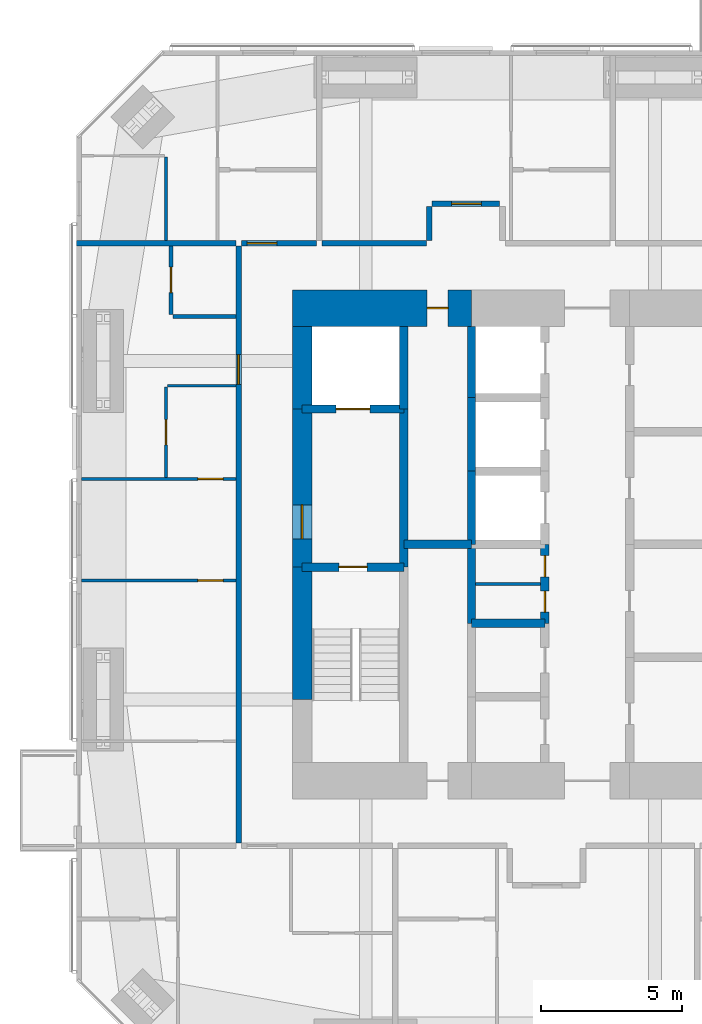
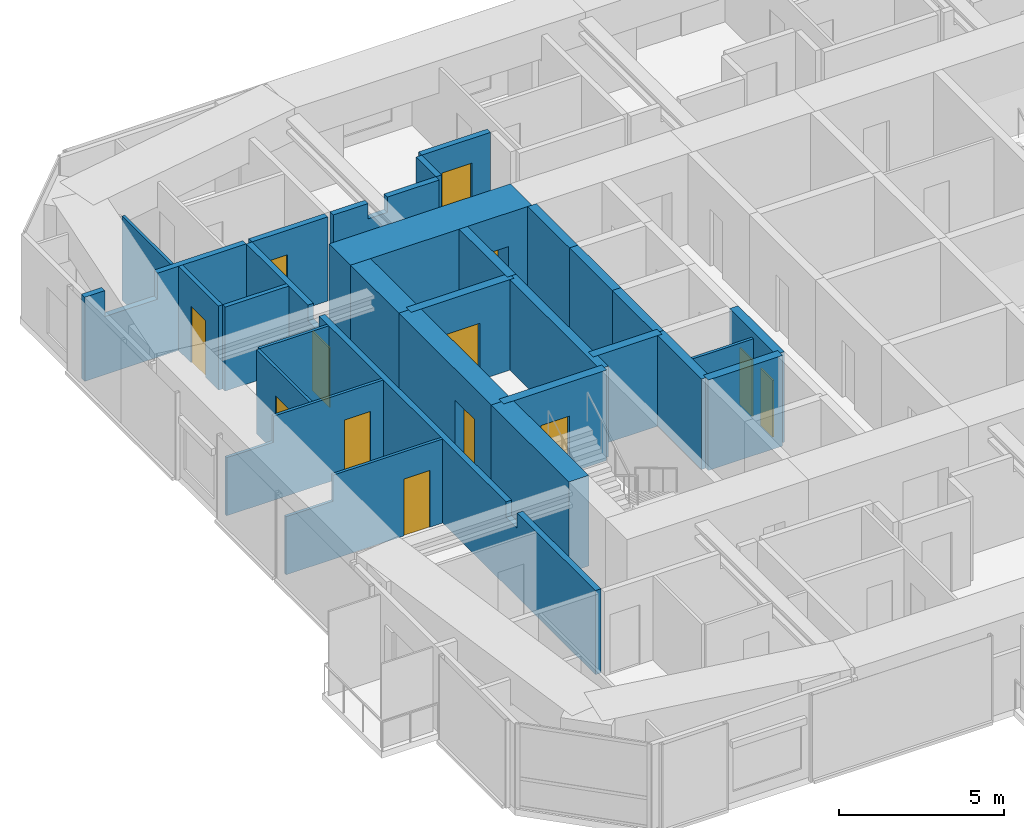
# One storey, part 18 of 23: 29 walls, 13 doors, 13 openings.
"""IFC4 building model written with IfcOpenShell, lengths in metres."""

from ifc_helpers import new_model, si_unit, direction, frame, frame_2d, origin, place, context, subcontext, project, spatial, polyline, rectangle, outline, extrude, material, layer, layer_set, constituent, constituent_set, type_object, element, fill, save


model = new_model("IFC4")

# Units and contexts
model_context = context("Model", 3, precision=1e-05, world=origin(), true_north=direction((0.0, 1.0)))
body_context = subcontext(model_context, "Body", "Model", "MODEL_VIEW")
ifc_project = project(units=[si_unit("LENGTHUNIT", "METRE"), si_unit("AREAUNIT", "SQUARE_METRE"), si_unit("VOLUMEUNIT", "CUBIC_METRE"), si_unit("PLANEANGLEUNIT", "RADIAN"), si_unit("MASSUNIT", "GRAM", prefix="KILO")], contexts=[model_context])

# Site, building, storey
site_placement = place(None, origin())
site = spatial("IfcSite", under=ifc_project, at=site_placement, CompositionType="ELEMENT")
building_placement = place(site_placement, origin())
building = spatial("IfcBuilding", under=site, at=building_placement, Name="Jalousie Tower", CompositionType="ELEMENT")
storey_placement = place(building_placement, frame((0.0, 0.0, 187.85009765625)))
storey = spatial("IfcBuildingStorey", under=building, at=storey_placement, Name="L51", CompositionType="ELEMENT", Elevation=187.85009765625)

# Wall, opening, door
ifc_material_1 = material(Name="Concrete block ASTM C90", Category="concrete")
ifc_constituent_1 = constituent(ifc_material_1, Name="Body")
ifc_material_2 = material(Name="Render")
ifc_constituent_2 = constituent(ifc_material_2, Name="Finish")
ifc_constituent_set_1 = constituent_set(constituents=[ifc_constituent_1, ifc_constituent_2])
wall_type_1 = type_object("IfcWallType", Name="BATHROOM WALL 150", PredefinedType="PLUMBINGWALL", material=ifc_constituent_set_1)
wall_1_placement = place(storey_placement, frame((15.35009765625, 26.64990234375, 0.0), z_axis=(0.0, 0.0, 1.0), x_axis=(0.0, 1.0, 0.0)))
wall_1 = element("IfcWall", 1, at=wall_1_placement, inside=storey, type_object=wall_type_1, Name="Bathroom Wall 150 L51", PredefinedType="PLUMBINGWALL", context=body_context, shape_type="SweptSolid", body=[
    extrude(rectangle(XDim=2.425048828125, YDim=0.14990234375, at=frame_2d((1.21240234375, 0.0))), origin(), (0.0, 0.0, 1.0), 3.10986328125),
])
opening_1_placement = place(wall_1_placement, frame((0.77490234375, 0.0, 0.0)))
opening_1 = element("IfcOpeningElement", 2, at=opening_1_placement, cuts=wall_1, Name="Opening D3", PredefinedType="OPENING", context=body_context, shape_type="SweptSolid", body=[
    extrude(rectangle(XDim=0.89990234375, YDim=2.10009765625, at=frame_2d((0.449951171875, 1.050048828125))), frame((0.0, 0.0849609375, 0.0), z_axis=(0.0, -1.0, 0.0), x_axis=(1.0, 0.0, 0.0)), (0.0, 0.0, 1.0), 0.169921875),
])
ifc_material_3 = material(Name="Timber door", Category="wood")
door_type_1 = type_object("IfcDoorType", Name="BATHROOM DOOR 900", OperationType="SINGLE_SWING_LEFT", PredefinedType="DOOR", material=ifc_material_3)
door_1_placement = place(opening_1_placement, frame((0.89990234375, 0.0, 0.0), z_axis=(0.0, 0.0, 1.0), x_axis=(-1.0, 0.0, 0.0)))
door_1 = element("IfcDoor", 3, at=door_1_placement, inside=storey, type_object=door_type_1, Name="Apartment 5108 bathroom door", OperationType="SINGLE_SWING_LEFT", OverallHeight=2.10009765625, OverallWidth=0.89990234375, PredefinedType="DOOR", context=body_context, shape_type="SweptSolid", body=[
    extrude(rectangle(XDim=0.89990234375, YDim=2.10009765625, at=frame_2d((0.449951171875, 1.050048828125))), frame((0.0, 0.02490234375, 0.0), z_axis=(0.0, -1.0, 0.0), x_axis=(1.0, 0.0, 0.0)), (0.0, 0.0, 1.0), 0.050048828125),
])
fill(opening_1, door_1)

# Wall
wall_2_placement = place(storey_placement, frame((15.425048828125, 26.574951171875, 0.0), z_axis=(0.0, 0.0, 1.0), x_axis=(1.0, 0.0, 0.0)))
element("IfcWall", 4, at=wall_2_placement, inside=storey, type_object=wall_type_1, Name="Bathroom Wall 150 L51", PredefinedType="PLUMBINGWALL", context=body_context, shape_type="SweptSolid", body=[
    extrude(rectangle(XDim=2.224853515625, YDim=0.14990234375, at=frame_2d((1.1123046875, 0.0))), origin(), (0.0, 0.0, 1.0), 3.10986328125),
])

# Wall, opening, door
ifc_material_4 = material(Name="Concrete f'c 120 MPa", Category="concrete")
ifc_layer_1 = layer(ifc_material_4, 1.300048828125)
ifc_layer_set_1 = layer_set([ifc_layer_1], Name="Concrete f'c 120 MPa")
wall_type_2 = type_object("IfcWallType", Name="CORE WALL 1300", PredefinedType="SHEAR", material=ifc_layer_set_1)
wall_3_placement = place(storey_placement, frame((26.0, 26.875, 0.0), z_axis=(0.0, 0.0, 1.0), x_axis=(-1.0, 0.0, 0.0)))
wall_3 = element("IfcWall", 5, at=wall_3_placement, inside=storey, type_object=wall_type_2, Name="Core wall ND L51", PredefinedType="SHEAR", context=body_context, shape_type="SweptSolid", body=[
    extrude(rectangle(XDim=6.35009765625, YDim=1.300048828125, at=frame_2d((3.175048828125, 0.0))), origin(), (0.0, 0.0, 1.0), 3.349853515625),
])
opening_2_placement = place(wall_3_placement, frame((0.824951171875, 0.0, 0.0)))
opening_2 = element("IfcOpeningElement", 6, at=opening_2_placement, cuts=wall_3, Name="Opening D16", PredefinedType="OPENING", context=body_context, shape_type="SweptSolid", body=[
    extrude(rectangle(XDim=0.75, YDim=2.10009765625, at=frame_2d((0.375, 1.050048828125))), frame((0.0, 0.659912109375, 0.0), z_axis=(0.0, -1.0, 0.0), x_axis=(1.0, 0.0, 0.0)), (0.0, 0.0, 1.0), 1.320068359375),
])
ifc_material_5 = material(Name="Steel fire door", Category="steel")
door_type_2 = type_object("IfcDoorType", Name="RISER DOOR 750", OperationType="SINGLE_SWING_LEFT", PredefinedType="DOOR", material=ifc_material_5)
door_2_placement = place(opening_2_placement, origin())
door_2 = element("IfcDoor", 7, at=door_2_placement, inside=storey, type_object=door_type_2, Name="North riser door", OperationType="SINGLE_SWING_RIGHT", OverallHeight=2.10009765625, OverallWidth=0.75, PredefinedType="DOOR", context=body_context, shape_type="SweptSolid", body=[
    extrude(rectangle(XDim=0.75, YDim=2.10009765625, at=frame_2d((0.375, 1.050048828125))), frame((0.0, 0.02490234375, 0.0), z_axis=(0.0, -1.0, 0.0), x_axis=(1.0, 0.0, 0.0)), (0.0, 0.0, 1.0), 0.050048828125),
])
fill(opening_2, door_2)

# Walls
ifc_material_6 = material(Name="Concrete f'c 120 MPa", Category="concrete")
ifc_layer_2 = layer(ifc_material_6, 0.300048828125)
ifc_layer_set_2 = layer_set([ifc_layer_2], Name="Concrete f'c 120 MPa")
wall_type_3 = type_object("IfcWallType", Name="CORE WALL 300", PredefinedType="SHEAR", material=ifc_layer_set_2)
wall_4_placement = place(storey_placement, frame((23.60009765625, 17.699951171875, 0.0), z_axis=(0.0, 0.0, 1.0), x_axis=(0.0, 1.0, 0.0)))
element("IfcWall", 8, at=wall_4_placement, inside=storey, type_object=wall_type_3, Name="Core wall X23.6B L51", PredefinedType="SHEAR", context=body_context, shape_type="SweptSolid", body=[
    extrude(rectangle(XDim=5.60009765625, YDim=0.300048828125, at=frame_2d((2.800048828125, 0.0))), origin(), (0.0, 0.0, 1.0), 3.349853515625),
])
wall_5_placement = place(storey_placement, frame((23.60009765625, 23.300048828125, 0.0), z_axis=(0.0, 0.0, 1.0), x_axis=(0.0, 1.0, 0.0)))
element("IfcWall", 9, at=wall_5_placement, inside=storey, type_object=wall_type_3, Name="Core wall X23.6C L51", PredefinedType="SHEAR", context=body_context, shape_type="SweptSolid", body=[
    extrude(rectangle(XDim=2.925048828125, YDim=0.300048828125, at=frame_2d((1.46240234375, 0.0))), origin(), (0.0, 0.0, 1.0), 3.349853515625),
])
wall_6_placement = place(storey_placement, frame((26.0, 15.699951171875, 0.0), z_axis=(0.0, 0.0, 1.0), x_axis=(0.0, 1.0, 0.0)))
element("IfcWall", 10, at=wall_6_placement, inside=storey, type_object=wall_type_3, Name="Core wall X26C L51", PredefinedType="SHEAR", context=body_context, shape_type="SweptSolid", body=[
    extrude(rectangle(XDim=2.800048828125, YDim=0.300048828125, at=frame_2d((1.39990234375, 0.0))), origin(), (0.0, 0.0, 1.0), 3.349853515625),
])
wall_7_placement = place(storey_placement, frame((26.0, 18.5, 0.0), z_axis=(0.0, 0.0, 1.0), x_axis=(0.0, 1.0, 0.0)))
element("IfcWall", 11, at=wall_7_placement, inside=storey, type_object=wall_type_3, Name="Core wall X26D L51", PredefinedType="SHEAR", context=body_context, shape_type="SweptSolid", body=[
    extrude(rectangle(XDim=2.60009765625, YDim=0.300048828125, at=frame_2d((1.300048828125, 0.0))), origin(), (0.0, 0.0, 1.0), 3.349853515625),
])
wall_8_placement = place(storey_placement, frame((26.0, 21.10009765625, 0.0), z_axis=(0.0, 0.0, 1.0), x_axis=(0.0, 1.0, 0.0)))
element("IfcWall", 12, at=wall_8_placement, inside=storey, type_object=wall_type_3, Name="Core wall X26E L51", PredefinedType="SHEAR", context=body_context, shape_type="SweptSolid", body=[
    extrude(rectangle(XDim=2.599853515625, YDim=0.300048828125, at=frame_2d((1.2998046875, 0.0))), origin(), (0.0, 0.0, 1.0), 3.349853515625),
])
wall_9_placement = place(storey_placement, frame((26.0, 23.699951171875, 0.0), z_axis=(0.0, 0.0, 1.0), x_axis=(0.0, 1.0, 0.0)))
element("IfcWall", 13, at=wall_9_placement, inside=storey, type_object=wall_type_3, Name="Core wall X26F L51", PredefinedType="SHEAR", context=body_context, shape_type="SweptSolid", body=[
    extrude(rectangle(XDim=2.525146484375, YDim=0.300048828125, at=frame_2d((1.2626953125, 0.0))), origin(), (0.0, 0.0, 1.0), 3.349853515625),
])

# Wall, openings, doors
wall_10_placement = place(storey_placement, frame((28.60009765625, 15.699951171875, 0.0), z_axis=(0.0, 0.0, 1.0), x_axis=(0.0, 1.0, 0.0)))
wall_10 = element("IfcWall", 14, at=wall_10_placement, inside=storey, type_object=wall_type_3, Name="Core wall X28.6C L51", PredefinedType="SHEAR", context=body_context, shape_type="SweptSolid", body=[
    extrude(rectangle(XDim=2.800048828125, YDim=0.300048828125, at=frame_2d((1.39990234375, 0.0))), origin(), (0.0, 0.0, 1.0), 3.349853515625),
])
opening_3_placement = place(wall_10_placement, frame((0.39990234375, 0.0, 0.0)))
opening_3 = element("IfcOpeningElement", 15, at=opening_3_placement, cuts=wall_10, Name="Opening D27", PredefinedType="OPENING", context=body_context, shape_type="SweptSolid", body=[
    extrude(rectangle(XDim=0.75, YDim=2.10009765625, at=frame_2d((0.375, 1.050048828125))), frame((0.0, 0.159912109375, 0.0), z_axis=(0.0, -1.0, 0.0), x_axis=(1.0, 0.0, 0.0)), (0.0, 0.0, 1.0), 0.320068359375),
])
opening_4_placement = place(wall_10_placement, frame((1.64990234375, 0.0, 0.0)))
opening_4 = element("IfcOpeningElement", 16, at=opening_4_placement, cuts=wall_10, Name="Opening D27", PredefinedType="OPENING", context=body_context, shape_type="SweptSolid", body=[
    extrude(rectangle(XDim=0.75, YDim=2.10009765625, at=frame_2d((0.375, 1.050048828125))), frame((0.0, 0.159912109375, 0.0), z_axis=(0.0, -1.0, 0.0), x_axis=(1.0, 0.0, 0.0)), (0.0, 0.0, 1.0), 0.320068359375),
])
ifc_material_7 = material(Name="Steel fire door", Category="steel")
door_type_3 = type_object("IfcDoorType", Name="CORE ROOM DOOR 750", OperationType="SINGLE_SWING_LEFT", PredefinedType="DOOR", material=ifc_material_7)
door_3_placement = place(opening_3_placement, origin())
door_3 = element("IfcDoor", 17, at=door_3_placement, inside=storey, type_object=door_type_3, Name="Staff WC door", OperationType="SINGLE_SWING_RIGHT", OverallHeight=2.10009765625, OverallWidth=0.75, PredefinedType="DOOR", context=body_context, shape_type="SweptSolid", body=[
    extrude(rectangle(XDim=0.75, YDim=2.10009765625, at=frame_2d((0.375, 1.050048828125))), frame((0.0, 0.02490234375, 0.0), z_axis=(0.0, -1.0, 0.0), x_axis=(1.0, 0.0, 0.0)), (0.0, 0.0, 1.0), 0.050048828125),
])
fill(opening_3, door_3)
door_4_placement = place(opening_4_placement, origin())
door_4 = element("IfcDoor", 18, at=door_4_placement, inside=storey, type_object=door_type_3, Name="Cleaner's store door", OperationType="SINGLE_SWING_LEFT", OverallHeight=2.10009765625, OverallWidth=0.75, PredefinedType="DOOR", context=body_context, shape_type="SweptSolid", body=[
    extrude(rectangle(XDim=0.75, YDim=2.10009765625, at=frame_2d((0.375, 1.050048828125))), frame((0.0, 0.02490234375, 0.0), z_axis=(0.0, -1.0, 0.0), x_axis=(1.0, 0.0, 0.0)), (0.0, 0.0, 1.0), 0.050048828125),
])
fill(opening_4, door_4)

# Wall, opening, door
wall_11_placement = place(storey_placement, frame((20.0, 17.699951171875, 0.0), z_axis=(0.0, 0.0, 1.0), x_axis=(1.0, 0.0, 0.0)))
wall_11 = element("IfcWall", 19, at=wall_11_placement, inside=storey, type_object=wall_type_3, Name="Core wall Y20-17.7 L51", PredefinedType="SHEAR", context=body_context, shape_type="SweptSolid", body=[
    extrude(rectangle(XDim=3.60009765625, YDim=0.300048828125, at=frame_2d((1.800048828125, 0.0))), origin(), (0.0, 0.0, 1.0), 3.349853515625),
])
opening_5_placement = place(wall_11_placement, frame((1.300048828125, 0.0, 0.0)))
opening_5 = element("IfcOpeningElement", 20, at=opening_5_placement, cuts=wall_11, Name="Opening D10", PredefinedType="OPENING", context=body_context, shape_type="SweptSolid", body=[
    extrude(rectangle(XDim=1.0, YDim=2.10009765625, at=frame_2d((0.5, 1.050048828125))), frame((0.0, 0.159912109375, 0.0), z_axis=(0.0, -1.0, 0.0), x_axis=(1.0, 0.0, 0.0)), (0.0, 0.0, 1.0), 0.320068359375),
])
ifc_material_8 = material(Name="Steel fire door", Category="steel")
door_type_4 = type_object("IfcDoorType", Name="STAIR DOOR 1000", OperationType="SINGLE_SWING_LEFT", PredefinedType="DOOR", material=ifc_material_8)
door_5_placement = place(opening_5_placement, frame((1.0, 0.0, 0.0), z_axis=(0.0, 0.0, 1.0), x_axis=(-1.0, 0.0, 0.0)))
door_5 = element("IfcDoor", 21, at=door_5_placement, inside=storey, type_object=door_type_4, Name="Exit stair A door", OperationType="SINGLE_SWING_RIGHT", OverallHeight=2.10009765625, OverallWidth=1.0, PredefinedType="DOOR", context=body_context, shape_type="SweptSolid", body=[
    extrude(rectangle(XDim=1.0, YDim=2.10009765625, at=frame_2d((0.5, 1.050048828125))), frame((0.0, 0.02490234375, 0.0), z_axis=(0.0, -1.0, 0.0), x_axis=(1.0, 0.0, 0.0)), (0.0, 0.0, 1.0), 0.050048828125),
])
fill(opening_5, door_5)

wall_12_placement = place(storey_placement, frame((20.0, 23.300048828125, 0.0), z_axis=(0.0, 0.0, 1.0), x_axis=(1.0, 0.0, 0.0)))
wall_12 = element("IfcWall", 22, at=wall_12_placement, inside=storey, type_object=wall_type_3, Name="Core wall Y20-23.3 L51", PredefinedType="SHEAR", context=body_context, shape_type="SweptSolid", body=[
    extrude(rectangle(XDim=3.60009765625, YDim=0.300048828125, at=frame_2d((1.800048828125, 0.0))), origin(), (0.0, 0.0, 1.0), 3.349853515625),
])
opening_6_placement = place(wall_12_placement, frame((1.199951171875, 0.0, 0.0)))
opening_6 = element("IfcOpeningElement", 23, at=opening_6_placement, cuts=wall_12, Name="Opening LD2", PredefinedType="OPENING", context=body_context, shape_type="SweptSolid", body=[
    extrude(rectangle(XDim=1.199951171875, YDim=2.10009765625, at=frame_2d((0.60009765625, 1.050048828125))), frame((0.0, 0.159912109375, 0.0), z_axis=(0.0, -1.0, 0.0), x_axis=(1.0, 0.0, 0.0)), (0.0, 0.0, 1.0), 0.320068359375),
])
ifc_material_9 = material(Name="Steel lift landing door", Category="steel")
door_type_5 = type_object("IfcDoorType", Name="LIFT LANDING DOOR 1200", OperationType="SLIDING_TO_LEFT", PredefinedType="DOOR", material=ifc_material_9)
door_6_placement = place(opening_6_placement, origin())
door_6 = element("IfcDoor", 24, at=door_6_placement, inside=storey, type_object=door_type_5, Name="Lift F1 landing door", OperationType="SLIDING_TO_LEFT", OverallHeight=2.10009765625, OverallWidth=1.199951171875, PredefinedType="DOOR", context=body_context, shape_type="SweptSolid", body=[
    extrude(rectangle(XDim=1.199951171875, YDim=2.10009765625, at=frame_2d((0.60009765625, 1.050048828125))), frame((0.0, 0.02490234375, 0.0), z_axis=(0.0, -1.0, 0.0), x_axis=(1.0, 0.0, 0.0)), (0.0, 0.0, 1.0), 0.050048828125),
])
fill(opening_6, door_6)

# Walls
wall_13_placement = place(storey_placement, frame((23.60009765625, 18.5, 0.0), z_axis=(0.0, 0.0, 1.0), x_axis=(1.0, 0.0, 0.0)))
element("IfcWall", 25, at=wall_13_placement, inside=storey, type_object=wall_type_3, Name="Core wall Y23.6-18.5 L51", PredefinedType="SHEAR", context=body_context, shape_type="SweptSolid", body=[
    extrude(rectangle(XDim=2.39990234375, YDim=0.300048828125, at=frame_2d((1.199951171875, 0.0))), origin(), (0.0, 0.0, 1.0), 3.349853515625),
])
wall_14_placement = place(storey_placement, frame((26.0, 15.699951171875, 0.0), z_axis=(0.0, 0.0, 1.0), x_axis=(1.0, 0.0, 0.0)))
element("IfcWall", 26, at=wall_14_placement, inside=storey, type_object=wall_type_3, Name="Core wall Y26-15.7 L51", PredefinedType="SHEAR", context=body_context, shape_type="SweptSolid", body=[
    extrude(rectangle(XDim=2.60009765625, YDim=0.300048828125, at=frame_2d((1.300048828125, 0.0))), origin(), (0.0, 0.0, 1.0), 3.349853515625),
])
ifc_material_10 = material(Name="Concrete f'c 120 MPa", Category="concrete")
ifc_layer_3 = layer(ifc_material_10, 0.699951171875)
ifc_layer_set_3 = layer_set([ifc_layer_3], Name="Concrete f'c 120 MPa")
wall_type_4 = type_object("IfcWallType", Name="CORE WALL 700", PredefinedType="SHEAR", material=ifc_layer_set_3)
wall_15_placement = place(storey_placement, frame((20.0, 26.22509765625, 0.0), z_axis=(0.0, 0.0, 1.0), x_axis=(0.0, -1.0, 0.0)))
element("IfcWall", 27, at=wall_15_placement, inside=storey, type_object=wall_type_4, Name="Core wall WA L51", PredefinedType="SHEAR", context=body_context, shape_type="SweptSolid", body=[
    extrude(rectangle(XDim=2.925048828125, YDim=0.699951171875, at=frame_2d((1.46240234375, 0.0))), origin(), (0.0, 0.0, 1.0), 3.349853515625),
])

# Wall, opening, door
wall_16_placement = place(storey_placement, frame((20.0, 23.300048828125, 0.0), z_axis=(0.0, 0.0, 1.0), x_axis=(0.0, -1.0, 0.0)))
wall_16 = element("IfcWall", 28, at=wall_16_placement, inside=storey, type_object=wall_type_4, Name="Core wall WB L51", PredefinedType="SHEAR", context=body_context, shape_type="SweptSolid", body=[
    extrude(rectangle(XDim=5.60009765625, YDim=0.699951171875, at=frame_2d((2.800048828125, 0.0))), origin(), (0.0, 0.0, 1.0), 3.349853515625),
])
opening_7_placement = place(wall_16_placement, frame((3.39990234375, 0.0, 0.0)))
opening_7 = element("IfcOpeningElement", 29, at=opening_7_placement, cuts=wall_16, Name="Opening D11", PredefinedType="OPENING", context=body_context, shape_type="SweptSolid", body=[
    extrude(rectangle(XDim=1.199951171875, YDim=2.199951171875, at=frame_2d((0.60009765625, 1.10009765625))), frame((0.0, 0.35986328125, 0.0), z_axis=(0.0, -1.0, 0.0), x_axis=(1.0, 0.0, 0.0)), (0.0, 0.0, 1.0), 0.719970703125),
])
ifc_material_11 = material(Name="Steel fire door", Category="steel")
door_type_6 = type_object("IfcDoorType", Name="FIRE DOOR 1200", OperationType="SINGLE_SWING_LEFT", PredefinedType="DOOR", material=ifc_material_11)
door_7_placement = place(opening_7_placement, origin())
door_7 = element("IfcDoor", 30, at=door_7_placement, inside=storey, type_object=door_type_6, Name="Fire-fighting lobby A door", OperationType="SINGLE_SWING_RIGHT", OverallHeight=2.199951171875, OverallWidth=1.199951171875, PredefinedType="DOOR", context=body_context, shape_type="SweptSolid", body=[
    extrude(rectangle(XDim=1.199951171875, YDim=2.199951171875, at=frame_2d((0.60009765625, 1.10009765625))), frame((0.0, 0.02490234375, 0.0), z_axis=(0.0, -1.0, 0.0), x_axis=(1.0, 0.0, 0.0)), (0.0, 0.0, 1.0), 0.050048828125),
])
fill(opening_7, door_7)

# Wall
wall_17_placement = place(storey_placement, frame((20.0, 17.699951171875, 0.0), z_axis=(0.0, 0.0, 1.0), x_axis=(0.0, -1.0, 0.0)))
element("IfcWall", 31, at=wall_17_placement, inside=storey, type_object=wall_type_4, Name="Core wall WC L51", PredefinedType="SHEAR", context=body_context, shape_type="SweptSolid", body=[
    extrude(rectangle(XDim=4.699951171875, YDim=0.699951171875, at=frame_2d((2.35009765625, 0.0))), origin(), (0.0, 0.0, 1.0), 3.349853515625),
])

# Wall, opening, door
ifc_material_12 = material(Name="Concrete block ASTM C90", Category="concrete")
ifc_constituent_3 = constituent(ifc_material_12, Name="Body")
ifc_material_13 = material(Name="Render")
ifc_constituent_4 = constituent(ifc_material_13, Name="Finish")
ifc_constituent_set_2 = constituent_set(constituents=[ifc_constituent_3, ifc_constituent_4])
wall_type_5 = type_object("IfcWallType", Name="CORRIDOR WALL 200", PredefinedType="PARTITIONING", material=ifc_constituent_set_2)
wall_18_placement = place(storey_placement, frame((17.85009765625, 29.175048828125, 0.0), z_axis=(0.0, 0.0, 1.0), x_axis=(1.0, 0.0, 0.0)))
wall_18 = element("IfcWall", 32, at=wall_18_placement, inside=storey, type_object=wall_type_5, Name="Corridor Wall 200 L51", PredefinedType="PARTITIONING", context=body_context, shape_type="SweptSolid", body=[
    extrude(rectangle(XDim=2.64990234375, YDim=0.199951171875, at=frame_2d((1.324951171875, 0.0))), origin(), (0.0, 0.0, 1.0), 3.10986328125),
])
opening_8_placement = place(wall_18_placement, frame((0.199951171875, 0.0, 0.0)))
opening_8 = element("IfcOpeningElement", 33, at=opening_8_placement, cuts=wall_18, Name="Opening D1", PredefinedType="OPENING", context=body_context, shape_type="SweptSolid", body=[
    extrude(rectangle(XDim=1.050048828125, YDim=2.199951171875, at=frame_2d((0.52490234375, 1.10009765625))), frame((0.0, 0.10986328125, 0.0), z_axis=(0.0, -1.0, 0.0), x_axis=(1.0, 0.0, 0.0)), (0.0, 0.0, 1.0), 0.219970703125),
])
ifc_material_14 = material(Name="Timber fire door", Category="wood")
door_type_7 = type_object("IfcDoorType", Name="APARTMENT ENTRANCE DOOR 1050", OperationType="SINGLE_SWING_LEFT", PredefinedType="DOOR", material=ifc_material_14)
door_8_placement = place(opening_8_placement, origin())
door_8 = element("IfcDoor", 34, at=door_8_placement, inside=storey, type_object=door_type_7, Name="Apartment 5104 entrance", OperationType="SINGLE_SWING_LEFT", OverallHeight=2.199951171875, OverallWidth=1.050048828125, PredefinedType="DOOR", context=body_context, shape_type="SweptSolid", body=[
    extrude(rectangle(XDim=1.050048828125, YDim=2.199951171875, at=frame_2d((0.52490234375, 1.10009765625))), frame((0.0, 0.02490234375, 0.0), z_axis=(0.0, -1.0, 0.0), x_axis=(1.0, 0.0, 0.0)), (0.0, 0.0, 1.0), 0.050048828125),
])
fill(opening_8, door_8)

# Wall
wall_19_placement = place(storey_placement, frame((20.699951171875, 29.175048828125, 0.0), z_axis=(0.0, 0.0, 1.0), x_axis=(1.0, 0.0, 0.0)))
element("IfcWall", 35, at=wall_19_placement, inside=storey, type_object=wall_type_5, Name="Corridor Wall 200 L51", PredefinedType="PARTITIONING", context=body_context, shape_type="SweptSolid", body=[
    extrude(outline(polyline([(0.0, 0.0), (3.699951171875, 0.0), (3.699951171875, 3.10986328125), (1.88720703125, 3.10986328125), (1.88720703125, 2.541015625), (1.212646484375, 2.541015625), (1.212646484375, 3.10986328125), (0.0, 3.10986328125), (0.0, 0.0)])), frame((0.0, 0.10009765625, 0.0), z_axis=(0.0, -1.0, 0.0), x_axis=(1.0, 0.0, 0.0)), (0.0, 0.0, 1.0), 0.199951171875),
])

# Wall, opening, door
wall_20_placement = place(storey_placement, frame((17.75, 7.925048828125, 0.0), z_axis=(0.0, 0.0, 1.0), x_axis=(0.0, 1.0, 0.0)))
wall_20 = element("IfcWall", 36, at=wall_20_placement, inside=storey, type_object=wall_type_5, Name="Corridor Wall 200 L51", PredefinedType="PARTITIONING", context=body_context, shape_type="SweptSolid", body=[
    extrude(outline(polyline([(0.0, 0.0), (21.14990234375, 0.0), (21.14990234375, 3.10986328125), (17.412353515625, 3.10986328125), (17.412353515625, 2.541015625), (16.737548828125, 2.541015625), (16.737548828125, 3.10986328125), (5.412353515625, 3.10986328125), (5.412353515625, 2.541015625), (4.73779296875, 2.541015625), (4.73779296875, 3.10986328125), (0.0, 3.10986328125), (0.0, 0.0)])), frame((0.0, 0.10009765625, 0.0), z_axis=(0.0, -1.0, 0.0), x_axis=(1.0, 0.0, 0.0)), (0.0, 0.0, 1.0), 0.199951171875),
])
opening_9_placement = place(wall_20_placement, frame((16.25, 0.0, 0.0)))
opening_9 = element("IfcOpeningElement", 37, at=opening_9_placement, cuts=wall_20, Name="Opening D1", PredefinedType="OPENING", context=body_context, shape_type="SweptSolid", body=[
    extrude(rectangle(XDim=1.050048828125, YDim=2.199951171875, at=frame_2d((0.52490234375, 1.10009765625))), frame((0.0, 0.10986328125, 0.0), z_axis=(0.0, -1.0, 0.0), x_axis=(1.0, 0.0, 0.0)), (0.0, 0.0, 1.0), 0.219970703125),
])
door_9_placement = place(opening_9_placement, origin())
door_9 = element("IfcDoor", 38, at=door_9_placement, inside=storey, type_object=door_type_7, Name="Apartment 5108 entrance", OperationType="SINGLE_SWING_LEFT", OverallHeight=2.199951171875, OverallWidth=1.050048828125, PredefinedType="DOOR", context=body_context, shape_type="SweptSolid", body=[
    extrude(rectangle(XDim=1.050048828125, YDim=2.199951171875, at=frame_2d((0.52490234375, 1.10009765625))), frame((0.0, 0.02490234375, 0.0), z_axis=(0.0, -1.0, 0.0), x_axis=(1.0, 0.0, 0.0)), (0.0, 0.0, 1.0), 0.050048828125),
])
fill(opening_9, door_9)

wall_21_placement = place(storey_placement, frame((24.60009765625, 30.574951171875, 0.0), z_axis=(0.0, 0.0, 1.0), x_axis=(1.0, 0.0, 0.0)))
wall_21 = element("IfcWall", 39, at=wall_21_placement, inside=storey, type_object=wall_type_5, Name="Corridor Wall 200 L51", PredefinedType="PARTITIONING", context=body_context, shape_type="SweptSolid", body=[
    extrude(rectangle(XDim=2.39990234375, YDim=0.199951171875, at=frame_2d((1.199951171875, 0.0))), origin(), (0.0, 0.0, 1.0), 3.10986328125),
])
opening_10_placement = place(wall_21_placement, frame((0.699951171875, 0.0, 0.0)))
opening_10 = element("IfcOpeningElement", 40, at=opening_10_placement, cuts=wall_21, Name="Opening D1", PredefinedType="OPENING", context=body_context, shape_type="SweptSolid", body=[
    extrude(rectangle(XDim=1.050048828125, YDim=2.199951171875, at=frame_2d((0.52490234375, 1.10009765625))), frame((0.0, 0.10986328125, 0.0), z_axis=(0.0, -1.0, 0.0), x_axis=(1.0, 0.0, 0.0)), (0.0, 0.0, 1.0), 0.219970703125),
])
door_10_placement = place(opening_10_placement, origin())
door_10 = element("IfcDoor", 41, at=door_10_placement, inside=storey, type_object=door_type_7, Name="Apartment 5105 entrance", OperationType="SINGLE_SWING_RIGHT", OverallHeight=2.199951171875, OverallWidth=1.050048828125, PredefinedType="DOOR", context=body_context, shape_type="SweptSolid", body=[
    extrude(rectangle(XDim=1.050048828125, YDim=2.199951171875, at=frame_2d((0.52490234375, 1.10009765625))), frame((0.0, 0.02490234375, 0.0), z_axis=(0.0, -1.0, 0.0), x_axis=(1.0, 0.0, 0.0)), (0.0, 0.0, 1.0), 0.050048828125),
])
fill(opening_10, door_10)

# Walls
wall_22_placement = place(storey_placement, frame((24.5, 29.27490234375, 0.0), z_axis=(0.0, 0.0, 1.0), x_axis=(0.0, 1.0, 0.0)))
element("IfcWall", 42, at=wall_22_placement, inside=storey, type_object=wall_type_5, Name="Corridor Wall 200 L51", PredefinedType="PARTITIONING", context=body_context, shape_type="SweptSolid", body=[
    extrude(rectangle(XDim=1.2001953125, YDim=0.199951171875, at=frame_2d((0.60009765625, 0.0))), origin(), (0.0, 0.0, 1.0), 3.10986328125),
])
ifc_material_15 = material(Name="Gypsum board", Category="gypsum")
ifc_constituent_5 = constituent(ifc_material_15, Name="Body")
ifc_material_16 = material(Name="Light-gauge steel studs ASTM A653 SS Grade 33", Category="steel")
ifc_constituent_6 = constituent(ifc_material_16, Name="Framing")
ifc_constituent_set_3 = constituent_set(constituents=[ifc_constituent_5, ifc_constituent_6])
wall_type_6 = type_object("IfcWallType", Name="PARTITION 100", PredefinedType="PARTITIONING", material=ifc_constituent_set_3)
wall_23_placement = place(storey_placement, frame((15.175048828125, 32.22509765625, 0.0), z_axis=(0.0, 0.0, 1.0), x_axis=(0.0, -1.0, 0.0)))
element("IfcWall", 43, at=wall_23_placement, inside=storey, type_object=wall_type_6, Name="Partition 100 L51", PredefinedType="PARTITIONING", context=body_context, shape_type="SweptSolid", body=[
    extrude(rectangle(XDim=2.9501953125, YDim=0.10009765625, at=frame_2d((1.47509765625, 0.0))), origin(), (0.0, 0.0, 1.0), 3.10986328125),
])

# Wall, opening, door
wall_24_placement = place(storey_placement, frame((12.175048828125, 17.22509765625, 0.0), z_axis=(0.0, 0.0, 1.0), x_axis=(1.0, 0.0, 0.0)))
wall_24 = element("IfcWall", 44, at=wall_24_placement, inside=storey, type_object=wall_type_6, Name="Partition 100 L51", PredefinedType="PARTITIONING", context=body_context, shape_type="SweptSolid", body=[
    extrude(outline(polyline([(0.0, 0.0), (5.474853515625, 0.0), (5.47509765625, 3.10986328125), (1.635009765625, 3.10986328125), (1.635009765625, 2.14990234375), (0.0, 2.14990234375), (0.0, 3.10986328125), (0.0, 0.0)])), frame((0.0, 0.050048828125, 0.0), z_axis=(0.0, -1.0, 0.0), x_axis=(1.0, 0.0, 0.0)), (0.0, 0.0, 1.0), 0.10009765625),
])
opening_11_placement = place(wall_24_placement, frame((4.125, 0.0, 0.0)))
opening_11 = element("IfcOpeningElement", 45, at=opening_11_placement, cuts=wall_24, Name="Opening D2", PredefinedType="OPENING", context=body_context, shape_type="SweptSolid", body=[
    extrude(rectangle(XDim=0.89990234375, YDim=2.10009765625, at=frame_2d((0.449951171875, 1.050048828125))), frame((0.0, 0.06005859375, 0.0), z_axis=(0.0, -1.0, 0.0), x_axis=(1.0, 0.0, 0.0)), (0.0, 0.0, 1.0), 0.1201171875),
])
ifc_material_17 = material(Name="Timber door", Category="wood")
door_type_8 = type_object("IfcDoorType", Name="BEDROOM DOOR 900", OperationType="SINGLE_SWING_LEFT", PredefinedType="DOOR", material=ifc_material_17)
door_11_placement = place(opening_11_placement, frame((0.89990234375, 0.0, 0.0), z_axis=(0.0, 0.0, 1.0), x_axis=(-1.0, 0.0, 0.0)))
door_11 = element("IfcDoor", 46, at=door_11_placement, inside=storey, type_object=door_type_8, Name="Apartment 5108 bedroom 2 door", OperationType="SINGLE_SWING_LEFT", OverallHeight=2.10009765625, OverallWidth=0.89990234375, PredefinedType="DOOR", context=body_context, shape_type="SweptSolid", body=[
    extrude(rectangle(XDim=0.89990234375, YDim=2.10009765625, at=frame_2d((0.449951171875, 1.050048828125))), frame((0.0, 0.02490234375, 0.0), z_axis=(0.0, -1.0, 0.0), x_axis=(1.0, 0.0, 0.0)), (0.0, 0.0, 1.0), 0.050048828125),
])
fill(opening_11, door_11)

wall_25_placement = place(storey_placement, frame((12.175048828125, 20.824951171875, 0.0), z_axis=(0.0, 0.0, 1.0), x_axis=(1.0, 0.0, 0.0)))
wall_25 = element("IfcWall", 47, at=wall_25_placement, inside=storey, type_object=wall_type_6, Name="Partition 100 L51", PredefinedType="PARTITIONING", context=body_context, shape_type="SweptSolid", body=[
    extrude(outline(polyline([(0.0, 0.0), (5.474853515625, 0.0), (5.47509765625, 3.10986328125), (1.635009765625, 3.10986328125), (1.635009765625, 2.14990234375), (0.0, 2.14990234375), (0.0, 3.10986328125), (0.0, 0.0)])), frame((0.0, 0.050048828125, 0.0), z_axis=(0.0, -1.0, 0.0), x_axis=(1.0, 0.0, 0.0)), (0.0, 0.0, 1.0), 0.10009765625),
])
opening_12_placement = place(wall_25_placement, frame((4.125, 0.0, 0.0)))
opening_12 = element("IfcOpeningElement", 48, at=opening_12_placement, cuts=wall_25, Name="Opening D2", PredefinedType="OPENING", context=body_context, shape_type="SweptSolid", body=[
    extrude(rectangle(XDim=0.89990234375, YDim=2.10009765625, at=frame_2d((0.449951171875, 1.050048828125))), frame((0.0, 0.06005859375, 0.0), z_axis=(0.0, -1.0, 0.0), x_axis=(1.0, 0.0, 0.0)), (0.0, 0.0, 1.0), 0.1201171875),
])
door_12_placement = place(opening_12_placement, frame((0.89990234375, 0.0, 0.0), z_axis=(0.0, 0.0, 1.0), x_axis=(-1.0, 0.0, 0.0)))
door_12 = element("IfcDoor", 49, at=door_12_placement, inside=storey, type_object=door_type_8, Name="Apartment 5108 bedroom 3 door", OperationType="SINGLE_SWING_LEFT", OverallHeight=2.10009765625, OverallWidth=0.89990234375, PredefinedType="DOOR", context=body_context, shape_type="SweptSolid", body=[
    extrude(rectangle(XDim=0.89990234375, YDim=2.10009765625, at=frame_2d((0.449951171875, 1.050048828125))), frame((0.0, 0.02490234375, 0.0), z_axis=(0.0, -1.0, 0.0), x_axis=(1.0, 0.0, 0.0)), (0.0, 0.0, 1.0), 0.050048828125),
])
fill(opening_12, door_12)

wall_26_placement = place(storey_placement, frame((15.175048828125, 20.875, 0.0), z_axis=(0.0, 0.0, 1.0), x_axis=(0.0, 1.0, 0.0)))
wall_26 = element("IfcWall", 50, at=wall_26_placement, inside=storey, type_object=wall_type_6, Name="Partition 100 L51", PredefinedType="PARTITIONING", context=body_context, shape_type="SweptSolid", body=[
    extrude(rectangle(XDim=3.199951171875, YDim=0.10009765625, at=frame_2d((1.60009765625, 0.0))), origin(), (0.0, 0.0, 1.0), 3.10986328125),
])
opening_13_placement = place(wall_26_placement, frame((1.14990234375, 0.0, 0.0)))
opening_13 = element("IfcOpeningElement", 51, at=opening_13_placement, cuts=wall_26, Name="Opening D7", PredefinedType="OPENING", context=body_context, shape_type="SweptSolid", body=[
    extrude(rectangle(XDim=0.89990234375, YDim=2.10009765625, at=frame_2d((0.449951171875, 1.050048828125))), frame((0.0, 0.06005859375, 0.0), z_axis=(0.0, -1.0, 0.0), x_axis=(1.0, 0.0, 0.0)), (0.0, 0.0, 1.0), 0.1201171875),
])
ifc_material_18 = material(Name="Timber door", Category="wood")
door_type_9 = type_object("IfcDoorType", Name="INTERNAL DOOR 900", OperationType="SINGLE_SWING_LEFT", PredefinedType="DOOR", material=ifc_material_18)
door_13_placement = place(opening_13_placement, origin())
door_13 = element("IfcDoor", 52, at=door_13_placement, inside=storey, type_object=door_type_9, Name="Apartment 5108 kitchen door", OperationType="SINGLE_SWING_LEFT", OverallHeight=2.10009765625, OverallWidth=0.89990234375, PredefinedType="DOOR", context=body_context, shape_type="SweptSolid", body=[
    extrude(rectangle(XDim=0.89990234375, YDim=2.10009765625, at=frame_2d((0.449951171875, 1.050048828125))), frame((0.0, 0.02490234375, 0.0), z_axis=(0.0, -1.0, 0.0), x_axis=(1.0, 0.0, 0.0)), (0.0, 0.0, 1.0), 0.050048828125),
])
fill(opening_13, door_13)

# Walls
wall_27_placement = place(storey_placement, frame((15.22509765625, 24.125, 0.0), z_axis=(0.0, 0.0, 1.0), x_axis=(1.0, 0.0, 0.0)))
element("IfcWall", 53, at=wall_27_placement, inside=storey, type_object=wall_type_6, Name="Partition 100 L51", PredefinedType="PARTITIONING", context=body_context, shape_type="SweptSolid", body=[
    extrude(rectangle(XDim=2.4248046875, YDim=0.10009765625, at=frame_2d((1.21240234375, 0.0))), origin(), (0.0, 0.0, 1.0), 3.10986328125),
])
wall_28_placement = place(storey_placement, frame((26.14990234375, 17.10009765625, 0.0), z_axis=(0.0, 0.0, 1.0), x_axis=(1.0, 0.0, 0.0)))
element("IfcWall", 54, at=wall_28_placement, inside=storey, type_object=wall_type_6, Name="Partition 100 L51", PredefinedType="PARTITIONING", context=body_context, shape_type="SweptSolid", body=[
    extrude(rectangle(XDim=2.300048828125, YDim=0.10009765625, at=frame_2d((1.14990234375, 0.0))), origin(), (0.0, 0.0, 1.0), 3.10986328125),
])
ifc_material_19 = material(Name="Concrete block ASTM C90", Category="concrete")
ifc_constituent_7 = constituent(ifc_material_19, Name="Body")
ifc_material_20 = material(Name="Render")
ifc_constituent_8 = constituent(ifc_material_20, Name="Finish")
ifc_constituent_set_4 = constituent_set(constituents=[ifc_constituent_7, ifc_constituent_8])
wall_type_7 = type_object("IfcWallType", Name="PARTY WALL 200", PredefinedType="PARTITIONING", material=ifc_constituent_set_4)
wall_29_placement = place(storey_placement, frame((12.0, 29.175048828125, 0.0), z_axis=(0.0, 0.0, 1.0), x_axis=(1.0, 0.0, 0.0)))
element("IfcWall", 55, at=wall_29_placement, inside=storey, type_object=wall_type_7, Name="Party Wall 200 L51", PredefinedType="PARTITIONING", context=body_context, shape_type="SweptSolid", body=[
    extrude(outline(polyline([(0.0, 0.0), (5.64990234375, 0.0), (5.64990234375, 3.10986328125), (2.546630859375, 3.10986328125), (2.546630859375, 2.14990234375), (0.703125, 2.14990234375), (0.703125, 3.10986328125), (0.0, 3.10986328125), (0.0, 0.0)])), frame((0.0, 0.10009765625, 0.0), z_axis=(0.0, -1.0, 0.0), x_axis=(1.0, 0.0, 0.0)), (0.0, 0.0, 1.0), 0.199951171875),
])

save(model, "model.ifc")
